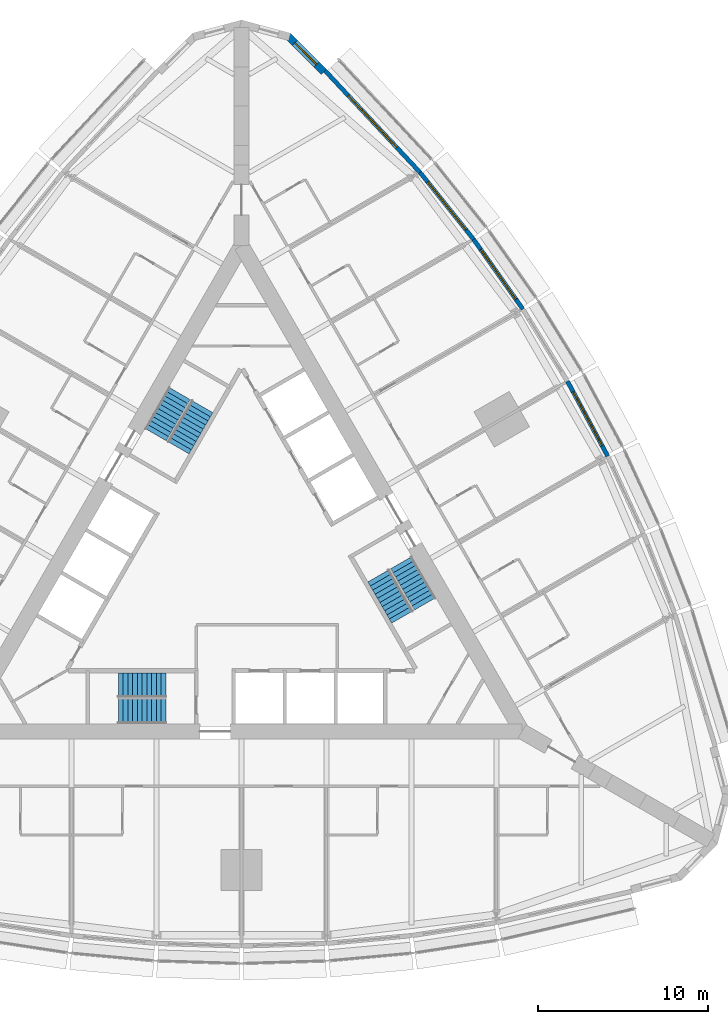
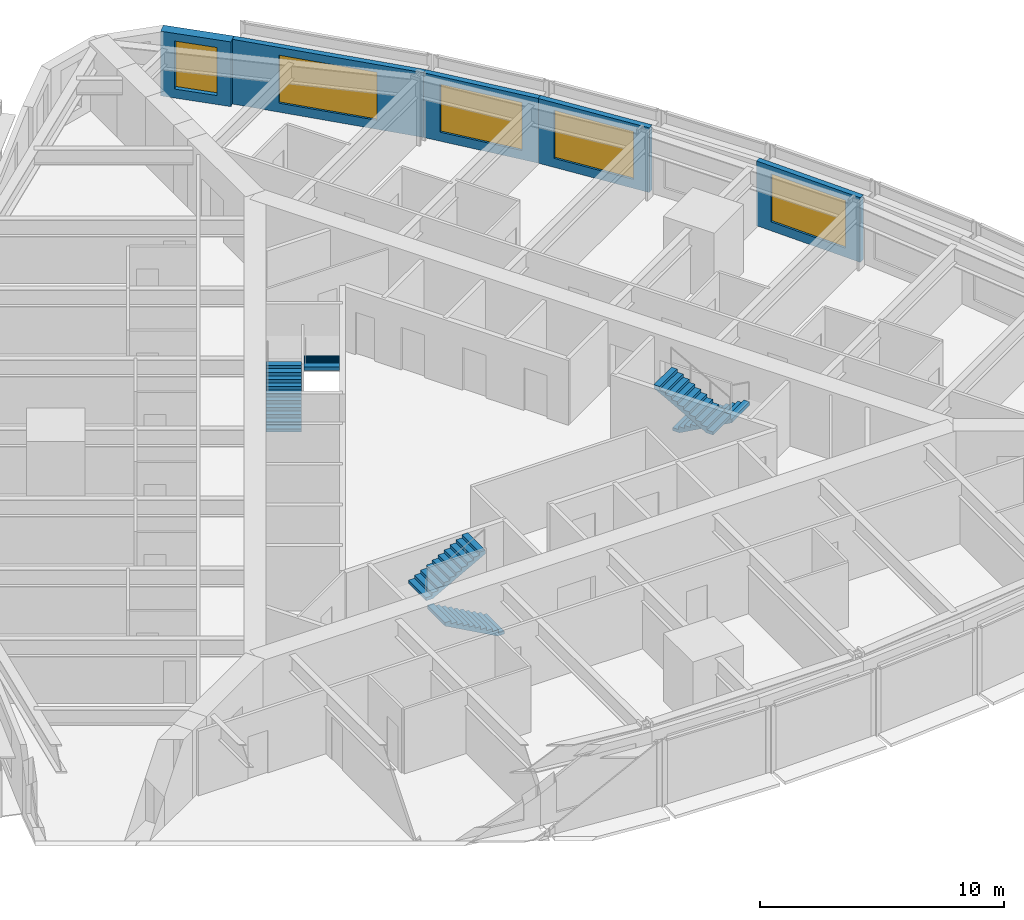
# One storey, part 13 of 14: 6 stair flights, 5 walls, 5 windows, 5 openings, 3 elements without a shape of their own.
"""IFC4 building model written with IfcOpenShell, lengths in metres."""

from ifc_helpers import new_model, si_unit, direction, frame, frame_2d, origin, place, context, subcontext, project, spatial, polyline, rectangle, outline, extrude, material, layer, layer_set, type_object, element, fill, aggregate, save


model = new_model("IFC4")

# Units and contexts
model_context = context("Model", 3, precision=1e-05, world=origin(), true_north=direction((0.0, 1.0)))
body_context = subcontext(model_context, "Body", "Model", "MODEL_VIEW")
ifc_project = project(units=[si_unit("LENGTHUNIT", "METRE"), si_unit("AREAUNIT", "SQUARE_METRE"), si_unit("VOLUMEUNIT", "CUBIC_METRE"), si_unit("PLANEANGLEUNIT", "RADIAN"), si_unit("MASSUNIT", "GRAM", prefix="KILO")], contexts=[model_context])

# Site, building, storey
site_placement = place(None, origin())
site = spatial("IfcSite", under=ifc_project, at=site_placement, CompositionType="ELEMENT")
building_placement = place(site_placement, origin())
building = spatial("IfcBuilding", under=site, at=building_placement, Name="Trikona Tower", CompositionType="ELEMENT")
storey_placement = place(building_placement, frame((0.0, 0.0, 55.699951171875)))
storey = spatial("IfcBuildingStorey", under=building, at=storey_placement, Name="L13", CompositionType="ELEMENT", Elevation=55.699951171875)

# Wall, opening, window
ifc_material_1 = material(Name="Brick-faced precast concrete", Category="masonry")
ifc_layer_1 = layer(ifc_material_1, 0.449951171875)
ifc_layer_set_1 = layer_set([ifc_layer_1], Name="Brick-faced corner wall 450")
wall_type_1 = type_object("IfcWallType", Name="Brick-faced corner wall 450", PredefinedType="SOLIDWALL", material=ifc_layer_set_1)
wall_1_placement = place(storey_placement, frame((4.8408203125, 29.285888671875, 0.0), z_axis=(0.0, 0.0, 1.0), x_axis=(-0.707106781187, 0.707106781187, 0.0)))
wall_1 = element("IfcWall", 1, at=wall_1_placement, inside=storey, type_object=wall_type_1, Name="External wall L13-20", PredefinedType="SOLIDWALL", context=body_context, shape_type="SweptSolid", body=[
    extrude(rectangle(XDim=2.98828125, YDim=0.449951171875, at=frame_2d((1.494140625, 0.0))), origin(), (0.0, 0.0, 1.0), 3.235107421875),
])
opening_1_placement = place(wall_1_placement, frame((0.59423828125, 0.0, 0.449951171875)))
opening_1 = element("IfcOpeningElement", 2, at=opening_1_placement, cuts=wall_1, Name="Opening W1824", PredefinedType="OPENING", context=body_context, shape_type="SweptSolid", body=[
    extrude(rectangle(XDim=1.800048828125, YDim=2.39990234375, at=frame_2d((0.89990234375, 1.199951171875))), frame((0.0, 0.23486328125, 0.0), z_axis=(0.0, -1.0, 0.0), x_axis=(1.0, 0.0, 0.0)), (0.0, 0.0, 1.0), 0.469970703125),
])
ifc_material_2 = material(Name="Aluminium-framed double glazing", Category="aluminium")
window_type_1 = type_object("IfcWindowType", Name="Window 1800x2400", PartitioningType="SINGLE_PANEL", PredefinedType="WINDOW", material=ifc_material_2)
window_1_placement = place(opening_1_placement, origin())
window_1 = element("IfcWindow", 3, at=window_1_placement, inside=storey, type_object=window_type_1, Name="Window 1310", OverallHeight=2.39990234375, OverallWidth=1.800048828125, PartitioningType="SINGLE_PANEL", PredefinedType="WINDOW", context=body_context, shape_type="SweptSolid", body=[
    extrude(rectangle(XDim=1.800048828125, YDim=2.39990234375, at=frame_2d((0.89990234375, 1.199951171875))), frame((0.0, 0.030029296875, 0.0), z_axis=(0.0, -1.0, 0.0), x_axis=(1.0, 0.0, 0.0)), (0.0, 0.0, 1.0), 0.06005859375),
])
fill(opening_1, window_1)

ifc_material_3 = material(Name="Insulated precast concrete spandrel panel", Category="concrete")
ifc_layer_2 = layer(ifc_material_3, 0.25)
ifc_layer_set_2 = layer_set([ifc_layer_2], Name="Inner skin wall 250")
wall_type_2 = type_object("IfcWallType", Name="Inner skin wall 250", PredefinedType="STANDARD", material=ifc_layer_set_2)
wall_2_placement = place(storey_placement, frame((21.546630859375, 6.6708984375, 0.0), z_axis=(0.0, 0.0, 1.0), x_axis=(-0.473412820489, 0.880840678782, 0.0)))
wall_2 = element("IfcWall", 4, at=wall_2_placement, inside=storey, type_object=wall_type_2, Name="External wall L13-15", PredefinedType="STANDARD", context=body_context, shape_type="SweptSolid", body=[
    extrude(rectangle(XDim=5.00244140625, YDim=0.25, at=frame_2d((2.501220703125, 0.0))), origin(), (0.0, 0.0, 1.0), 3.235107421875),
])
opening_2_placement = place(wall_2_placement, frame((0.701171875, 0.0, 0.449951171875)))
opening_2 = element("IfcOpeningElement", 5, at=opening_2_placement, cuts=wall_2, Name="Opening W3624", PredefinedType="OPENING", context=body_context, shape_type="SweptSolid", body=[
    extrude(rectangle(XDim=3.60009765625, YDim=2.39990234375, at=frame_2d((1.800048828125, 1.199951171875))), frame((0.0, 0.135009765625, 0.0), z_axis=(0.0, -1.0, 0.0), x_axis=(1.0, 0.0, 0.0)), (0.0, 0.0, 1.0), 0.27001953125),
])
ifc_material_4 = material(Name="Aluminium-framed double glazing", Category="aluminium")
window_type_2 = type_object("IfcWindowType", Name="Window 3600x2400", PartitioningType="SINGLE_PANEL", PredefinedType="WINDOW", material=ifc_material_4)
window_2_placement = place(opening_2_placement, origin())
window_2 = element("IfcWindow", 6, at=window_2_placement, inside=storey, type_object=window_type_2, Name="Window 1307", OverallHeight=2.39990234375, OverallWidth=3.60009765625, PartitioningType="SINGLE_PANEL", PredefinedType="WINDOW", context=body_context, shape_type="SweptSolid", body=[
    extrude(rectangle(XDim=3.60009765625, YDim=2.39990234375, at=frame_2d((1.800048828125, 1.199951171875))), frame((0.0, 0.030029296875, 0.0), z_axis=(0.0, -1.0, 0.0), x_axis=(1.0, 0.0, 0.0)), (0.0, 0.0, 1.0), 0.06005859375),
])
fill(opening_2, window_2)

wall_3_placement = place(storey_placement, frame((16.5546875, 15.318115234375, 0.0), z_axis=(0.0, 0.0, 1.0), x_axis=(-0.5766431066, 0.81699616132, 0.0)))
wall_3 = element("IfcWall", 7, at=wall_3_placement, inside=storey, type_object=wall_type_2, Name="External wall L13-17", PredefinedType="STANDARD", context=body_context, shape_type="SweptSolid", body=[
    extrude(rectangle(XDim=5.02099609375, YDim=0.25, at=frame_2d((2.510498046875, 0.0))), origin(), (0.0, 0.0, 1.0), 3.235107421875),
])
opening_3_placement = place(wall_3_placement, frame((0.71044921875, 0.0, 0.449951171875)))
opening_3 = element("IfcOpeningElement", 8, at=opening_3_placement, cuts=wall_3, Name="Opening W3624", PredefinedType="OPENING", context=body_context, shape_type="SweptSolid", body=[
    extrude(rectangle(XDim=3.60009765625, YDim=2.39990234375, at=frame_2d((1.800048828125, 1.199951171875))), frame((0.0, 0.135009765625, 0.0), z_axis=(0.0, -1.0, 0.0), x_axis=(1.0, 0.0, 0.0)), (0.0, 0.0, 1.0), 0.27001953125),
])
window_3_placement = place(opening_3_placement, origin())
window_3 = element("IfcWindow", 9, at=window_3_placement, inside=storey, type_object=window_type_2, Name="Window 1308.1", OverallHeight=2.39990234375, OverallWidth=3.60009765625, PartitioningType="SINGLE_PANEL", PredefinedType="WINDOW", context=body_context, shape_type="SweptSolid", body=[
    extrude(rectangle(XDim=3.60009765625, YDim=2.39990234375, at=frame_2d((1.800048828125, 1.199951171875))), frame((0.0, 0.030029296875, 0.0), z_axis=(0.0, -1.0, 0.0), x_axis=(1.0, 0.0, 0.0)), (0.0, 0.0, 1.0), 0.06005859375),
])
fill(opening_3, window_3)

wall_4_placement = place(storey_placement, frame((13.663818359375, 19.4140625, 0.0), z_axis=(0.0, 0.0, 1.0), x_axis=(-0.624594965756, 0.780948864364, 0.0)))
wall_4 = element("IfcWall", 10, at=wall_4_placement, inside=storey, type_object=wall_type_2, Name="External wall L13-18", PredefinedType="STANDARD", context=body_context, shape_type="SweptSolid", body=[
    extrude(rectangle(XDim=5.0576171875, YDim=0.25, at=frame_2d((2.52880859375, 0.0))), origin(), (0.0, 0.0, 1.0), 3.235107421875),
])
opening_4_placement = place(wall_4_placement, frame((0.728759765625, 0.0, 0.449951171875)))
opening_4 = element("IfcOpeningElement", 11, at=opening_4_placement, cuts=wall_4, Name="Opening W3624", PredefinedType="OPENING", context=body_context, shape_type="SweptSolid", body=[
    extrude(rectangle(XDim=3.60009765625, YDim=2.39990234375, at=frame_2d((1.800048828125, 1.199951171875))), frame((0.0, 0.135009765625, 0.0), z_axis=(0.0, -1.0, 0.0), x_axis=(1.0, 0.0, 0.0)), (0.0, 0.0, 1.0), 0.27001953125),
])
window_4_placement = place(opening_4_placement, origin())
window_4 = element("IfcWindow", 12, at=window_4_placement, inside=storey, type_object=window_type_2, Name="Window 1309", OverallHeight=2.39990234375, OverallWidth=3.60009765625, PartitioningType="SINGLE_PANEL", PredefinedType="WINDOW", context=body_context, shape_type="SweptSolid", body=[
    extrude(rectangle(XDim=3.60009765625, YDim=2.39990234375, at=frame_2d((1.800048828125, 1.199951171875))), frame((0.0, 0.030029296875, 0.0), z_axis=(0.0, -1.0, 0.0), x_axis=(1.0, 0.0, 0.0)), (0.0, 0.0, 1.0), 0.06005859375),
])
fill(opening_4, window_4)

wall_5_placement = place(storey_placement, frame((10.510986328125, 23.356689453125, 0.0), z_axis=(0.0, 0.0, 1.0), x_axis=(-0.682289646561, 0.731081964075, 0.0)))
wall_5 = element("IfcWall", 13, at=wall_5_placement, inside=storey, type_object=wall_type_2, Name="External wall L13-19", PredefinedType="STANDARD", context=body_context, shape_type="SweptSolid", body=[
    extrude(rectangle(XDim=8.2109375, YDim=0.25, at=frame_2d((4.10546875, 0.0))), origin(), (0.0, 0.0, 1.0), 3.235107421875),
])
opening_5_placement = place(wall_5_placement, frame((2.005615234375, 0.0, 0.449951171875)))
opening_5 = element("IfcOpeningElement", 14, at=opening_5_placement, cuts=wall_5, Name="Opening W4224", PredefinedType="OPENING", context=body_context, shape_type="SweptSolid", body=[
    extrude(rectangle(XDim=4.199951171875, YDim=2.39990234375, at=frame_2d((2.10009765625, 1.199951171875))), frame((0.0, 0.135009765625, 0.0), z_axis=(0.0, -1.0, 0.0), x_axis=(1.0, 0.0, 0.0)), (0.0, 0.0, 1.0), 0.27001953125),
])
ifc_material_5 = material(Name="Aluminium-framed double glazing", Category="aluminium")
window_type_3 = type_object("IfcWindowType", Name="Window 4200x2400", PartitioningType="SINGLE_PANEL", PredefinedType="WINDOW", material=ifc_material_5)
window_5_placement = place(opening_5_placement, origin())
window_5 = element("IfcWindow", 15, at=window_5_placement, inside=storey, type_object=window_type_3, Name="Window 1310", OverallHeight=2.39990234375, OverallWidth=4.199951171875, PartitioningType="SINGLE_PANEL", PredefinedType="WINDOW", context=body_context, shape_type="SweptSolid", body=[
    extrude(rectangle(XDim=4.199951171875, YDim=2.39990234375, at=frame_2d((2.10009765625, 1.199951171875))), frame((0.0, 0.030029296875, 0.0), z_axis=(0.0, -1.0, 0.0), x_axis=(1.0, 0.0, 0.0)), (0.0, 0.0, 1.0), 0.06005859375),
])
fill(opening_5, window_5)

# Stair, stair flights
ifc_material_6 = material(Name="Concrete f'c 5000 psi", Category="concrete")
stair_type = type_object("IfcStairType", Name="Core stair", PredefinedType="HALF_TURN_STAIR", material=ifc_material_6)
stair_1_placement = place(storey_placement, origin())
stair_1 = element("IfcStair", 16, at=stair_1_placement, inside=storey, type_object=stair_type, Name="Stair A L13", PredefinedType="HALF_TURN_STAIR")
ifc_material_7 = material(Name="Concrete f'c 5000 psi", Category="concrete")
stair_flight_type = type_object("IfcStairFlightType", Name="Core stair flight 1450", PredefinedType="STRAIGHT", material=ifc_material_7)
stair_flight_1_placement = place(storey_placement, frame((-4.449951171875, -8.351318359375, 0.0), z_axis=(0.0, 0.0, 1.0), x_axis=(-1.0, 0.0, 0.0)))
stair_flight_1 = element("IfcStairFlight", 17, at=stair_flight_1_placement, type_object=stair_flight_type, Name="ST-A flight 1", NumberOfRisers=11, NumberOfTreads=10, PredefinedType="STRAIGHT", RiserHeight=0.154545, TreadLength=0.28, context=body_context, shape_type="SweptSolid", body=[
    extrude(outline(polyline([(0.0, 0.0), (0.0, 0.154541015625), (0.280029296875, 0.154541015625), (0.280029296875, 0.30908203125), (0.56005859375, 0.30908203125), (0.56005859375, 0.463623046875), (0.840087890625, 0.463623046875), (0.840087890625, 0.6181640625), (1.1201171875, 0.6181640625), (1.1201171875, 0.772705078125), (1.39990234375, 0.772705078125), (1.39990234375, 0.92724609375), (1.679931640625, 0.92724609375), (1.679931640625, 1.081787109375), (1.9599609375, 1.081787109375), (1.9599609375, 1.236328125), (2.239990234375, 1.236328125), (2.239990234375, 1.390869140625), (2.52001953125, 1.390869140625), (2.52001953125, 1.54541015625), (2.800048828125, 1.54541015625), (2.800048828125, 1.699951171875), (2.800048828125, 1.374267578125), (0.310302734375, 0.0), (0.0, 0.0)])), frame((0.0, 0.72509765625, 0.0), z_axis=(0.0, -1.0, 0.0), x_axis=(1.0, 0.0, 0.0)), (0.0, 0.0, 1.0), 1.449951171875),
])
stair_flight_2_placement = place(storey_placement, frame((-7.25, -6.80126953125, 1.699951171875), z_axis=(0.0, 0.0, 1.0), x_axis=(1.0, 0.0, 0.0)))
stair_flight_2 = element("IfcStairFlight", 18, at=stair_flight_2_placement, type_object=stair_flight_type, Name="ST-A flight 2", NumberOfRisers=11, NumberOfTreads=10, PredefinedType="STRAIGHT", RiserHeight=0.154545, TreadLength=0.28, context=body_context, shape_type="SweptSolid", body=[
    extrude(outline(polyline([(0.0, 0.0), (0.0, 0.154541015625), (0.280029296875, 0.154541015625), (0.280029296875, 0.30908203125), (0.56005859375, 0.30908203125), (0.56005859375, 0.463623046875), (0.840087890625, 0.463623046875), (0.840087890625, 0.6181640625), (1.1201171875, 0.6181640625), (1.1201171875, 0.772705078125), (1.39990234375, 0.772705078125), (1.39990234375, 0.92724609375), (1.679931640625, 0.92724609375), (1.679931640625, 1.081787109375), (1.9599609375, 1.081787109375), (1.9599609375, 1.236328125), (2.239990234375, 1.236328125), (2.239990234375, 1.390869140625), (2.52001953125, 1.390869140625), (2.52001953125, 1.54541015625), (2.800048828125, 1.54541015625), (2.800048828125, 1.699951171875), (2.800048828125, 1.374267578125), (0.310302734375, 0.0), (0.0, 0.0)])), frame((0.0, 0.72509765625, 0.0), z_axis=(0.0, -1.0, 0.0), x_axis=(1.0, 0.0, 0.0)), (0.0, 0.0, 1.0), 1.449951171875),
])
aggregate(stair_1, [stair_flight_1, stair_flight_2])

stair_2_placement = place(storey_placement, origin())
stair_2 = element("IfcStair", 19, at=stair_2_placement, inside=storey, type_object=stair_type, Name="Stair B L13", PredefinedType="HALF_TURN_STAIR")
stair_flight_3_placement = place(storey_placement, frame((9.407470703125, 0.408447265625, 0.0), z_axis=(0.0, 0.0, 1.0), x_axis=(0.5, -0.866025403784, 0.0)))
stair_flight_3 = element("IfcStairFlight", 20, at=stair_flight_3_placement, type_object=stair_flight_type, Name="ST-B flight 1", NumberOfRisers=11, NumberOfTreads=10, PredefinedType="STRAIGHT", RiserHeight=0.154545, TreadLength=0.28, context=body_context, shape_type="SweptSolid", body=[
    extrude(outline(polyline([(0.0, 0.0), (0.0, 0.154541015625), (0.280029296875, 0.154541015625), (0.280029296875, 0.30908203125), (0.56005859375, 0.30908203125), (0.56005859375, 0.463623046875), (0.840087890625, 0.463623046875), (0.840087890625, 0.6181640625), (1.1201171875, 0.6181640625), (1.1201171875, 0.772705078125), (1.39990234375, 0.772705078125), (1.39990234375, 0.92724609375), (1.679931640625, 0.92724609375), (1.679931640625, 1.081787109375), (1.9599609375, 1.081787109375), (1.9599609375, 1.236328125), (2.239990234375, 1.236328125), (2.239990234375, 1.390869140625), (2.52001953125, 1.390869140625), (2.52001953125, 1.54541015625), (2.800048828125, 1.54541015625), (2.800048828125, 1.699951171875), (2.800048828125, 1.374267578125), (0.310302734375, 0.0), (0.0, 0.0)])), frame((0.0, 0.72509765625, 0.0), z_axis=(0.0, -1.0, 0.0), x_axis=(1.0, 0.0, 0.0)), (0.0, 0.0, 1.0), 1.449951171875),
])
stair_flight_4_placement = place(storey_placement, frame((9.465087890625, -2.79150390625, 1.699951171875), z_axis=(0.0, 0.0, 1.0), x_axis=(-0.5, 0.866025403784, 0.0)))
stair_flight_4 = element("IfcStairFlight", 21, at=stair_flight_4_placement, type_object=stair_flight_type, Name="ST-B flight 2", NumberOfRisers=11, NumberOfTreads=10, PredefinedType="STRAIGHT", RiserHeight=0.154545, TreadLength=0.28, context=body_context, shape_type="SweptSolid", body=[
    extrude(outline(polyline([(0.0, 0.0), (0.0, 0.154541015625), (0.280029296875, 0.154541015625), (0.280029296875, 0.30908203125), (0.56005859375, 0.30908203125), (0.56005859375, 0.463623046875), (0.840087890625, 0.463623046875), (0.840087890625, 0.6181640625), (1.1201171875, 0.6181640625), (1.1201171875, 0.772705078125), (1.39990234375, 0.772705078125), (1.39990234375, 0.92724609375), (1.679931640625, 0.92724609375), (1.679931640625, 1.081787109375), (1.9599609375, 1.081787109375), (1.9599609375, 1.236328125), (2.239990234375, 1.236328125), (2.239990234375, 1.390869140625), (2.52001953125, 1.390869140625), (2.52001953125, 1.54541015625), (2.800048828125, 1.54541015625), (2.800048828125, 1.699951171875), (2.800048828125, 1.374267578125), (0.310302734375, 0.0), (0.0, 0.0)])), frame((0.0, 0.72509765625, 0.0), z_axis=(0.0, -1.0, 0.0), x_axis=(1.0, 0.0, 0.0)), (0.0, 0.0, 1.0), 1.449951171875),
])
aggregate(stair_2, [stair_flight_3, stair_flight_4])

stair_3_placement = place(storey_placement, origin())
stair_3 = element("IfcStair", 22, at=stair_3_placement, inside=storey, type_object=stair_type, Name="Stair C L13", PredefinedType="HALF_TURN_STAIR")
stair_flight_5_placement = place(storey_placement, frame((-5.057373046875, 7.94287109375, 0.0), z_axis=(0.0, 0.0, 1.0), x_axis=(0.5, 0.866025403784, 0.0)))
stair_flight_5 = element("IfcStairFlight", 23, at=stair_flight_5_placement, type_object=stair_flight_type, Name="ST-C flight 1", NumberOfRisers=11, NumberOfTreads=10, PredefinedType="STRAIGHT", RiserHeight=0.154545, TreadLength=0.28, context=body_context, shape_type="SweptSolid", body=[
    extrude(outline(polyline([(0.0, 0.0), (0.0, 0.154541015625), (0.280029296875, 0.154541015625), (0.280029296875, 0.30908203125), (0.56005859375, 0.30908203125), (0.56005859375, 0.463623046875), (0.840087890625, 0.463623046875), (0.840087890625, 0.6181640625), (1.1201171875, 0.6181640625), (1.1201171875, 0.772705078125), (1.39990234375, 0.772705078125), (1.39990234375, 0.92724609375), (1.679931640625, 0.92724609375), (1.679931640625, 1.081787109375), (1.9599609375, 1.081787109375), (1.9599609375, 1.236328125), (2.239990234375, 1.236328125), (2.239990234375, 1.390869140625), (2.52001953125, 1.390869140625), (2.52001953125, 1.54541015625), (2.800048828125, 1.54541015625), (2.800048828125, 1.699951171875), (2.800048828125, 1.374267578125), (0.310302734375, 0.0), (0.0, 0.0)])), frame((0.0, 0.72509765625, 0.0), z_axis=(0.0, -1.0, 0.0), x_axis=(1.0, 0.0, 0.0)), (0.0, 0.0, 1.0), 1.449951171875),
])
stair_flight_6_placement = place(storey_placement, frame((-2.315185546875, 9.5927734375, 1.699951171875), z_axis=(0.0, 0.0, 1.0), x_axis=(-0.5, -0.866025403784, 0.0)))
stair_flight_6 = element("IfcStairFlight", 24, at=stair_flight_6_placement, type_object=stair_flight_type, Name="ST-C flight 2", NumberOfRisers=11, NumberOfTreads=10, PredefinedType="STRAIGHT", RiserHeight=0.154545, TreadLength=0.28, context=body_context, shape_type="SweptSolid", body=[
    extrude(outline(polyline([(0.0, 0.0), (0.0, 0.154541015625), (0.280029296875, 0.154541015625), (0.280029296875, 0.30908203125), (0.56005859375, 0.30908203125), (0.56005859375, 0.463623046875), (0.840087890625, 0.463623046875), (0.840087890625, 0.6181640625), (1.1201171875, 0.6181640625), (1.1201171875, 0.772705078125), (1.39990234375, 0.772705078125), (1.39990234375, 0.92724609375), (1.679931640625, 0.92724609375), (1.679931640625, 1.081787109375), (1.9599609375, 1.081787109375), (1.9599609375, 1.236328125), (2.239990234375, 1.236328125), (2.239990234375, 1.390869140625), (2.52001953125, 1.390869140625), (2.52001953125, 1.54541015625), (2.800048828125, 1.54541015625), (2.800048828125, 1.699951171875), (2.800048828125, 1.374267578125), (0.310302734375, 0.0), (0.0, 0.0)])), frame((0.0, 0.72509765625, 0.0), z_axis=(0.0, -1.0, 0.0), x_axis=(1.0, 0.0, 0.0)), (0.0, 0.0, 1.0), 1.449951171875),
])
aggregate(stair_3, [stair_flight_5, stair_flight_6])

save(model, "model.ifc")
